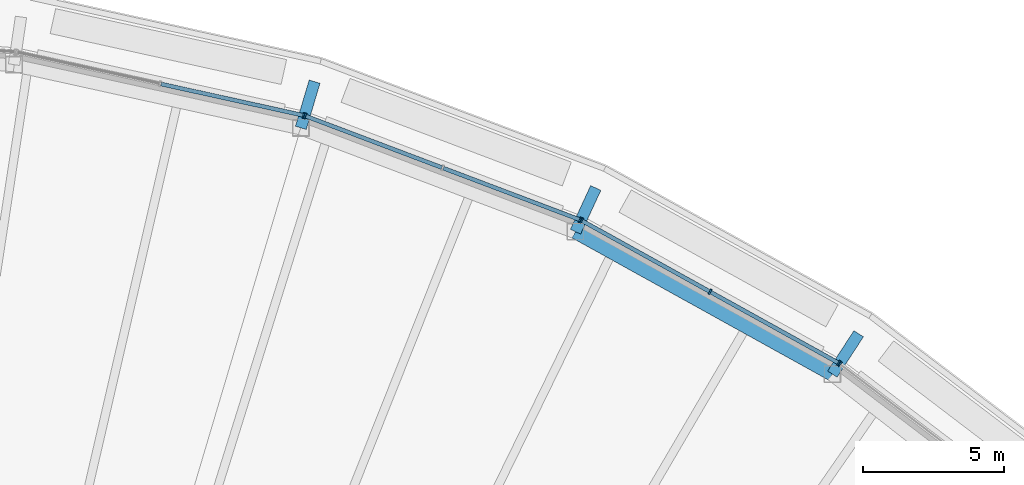
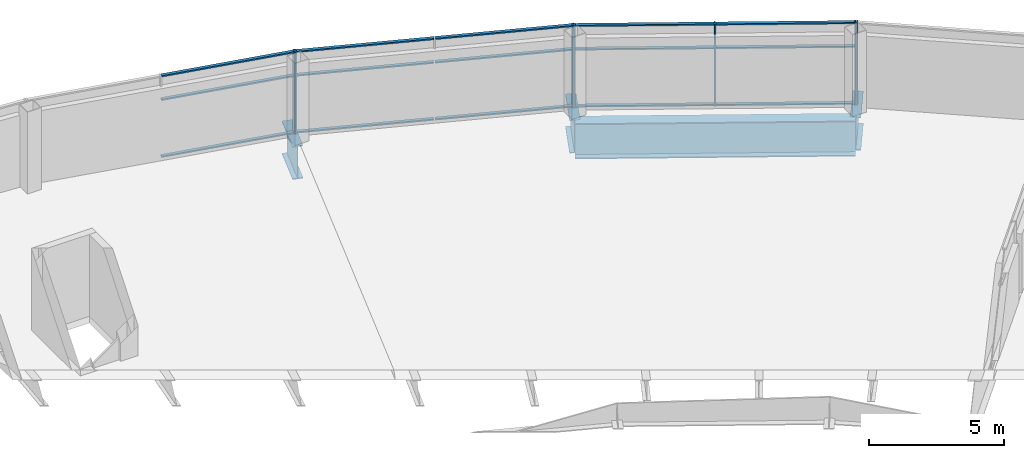
# One storey, part 11 of 17: 22 members, 4 beams, 4 elements without a shape of their own.
"""IFC4 building model written with IfcOpenShell, lengths in metres."""

from ifc_helpers import new_model, si_unit, direction, frame, origin, origin_2d, place, context, subcontext, project, spatial, rectangle, i_section, extrude, material, layer, layer_set, material_profile, profile_set, type_object, element, aggregate, save


model = new_model("IFC4")

# Units and contexts
model_context = context("Model", 3, precision=1e-05, world=origin(), true_north=direction((0.0, 1.0)))
body_context = subcontext(model_context, "Body", "Model", "MODEL_VIEW")
ifc_project = project(units=[si_unit("LENGTHUNIT", "METRE"), si_unit("AREAUNIT", "SQUARE_METRE"), si_unit("VOLUMEUNIT", "CUBIC_METRE"), si_unit("PLANEANGLEUNIT", "RADIAN"), si_unit("MASSUNIT", "GRAM", prefix="KILO")], contexts=[model_context])

# Site, building, storey
site_placement = place(None, origin())
site = spatial("IfcSite", under=ifc_project, at=site_placement, CompositionType="ELEMENT")
building_placement = place(site_placement, origin())
building = spatial("IfcBuilding", under=site, at=building_placement, Name="Tuul Gate Civic Tower", CompositionType="ELEMENT")
storey_placement = place(building_placement, frame((0.0, 0.0, 360.10009765625)))
storey = spatial("IfcBuildingStorey", under=building, at=storey_placement, Name="Crown tier 1 lower", CompositionType="ELEMENT", Elevation=360.10009765625)

# Curtain wall, member
ifc_material_1 = material(Name="Aluminium", Category="aluminium")
ifc_layer = layer(ifc_material_1, 0.199951171875)
ifc_layer_set = layer_set([ifc_layer], Name="Aluminium")
curtain_wall_type = type_object("IfcCurtainWallType", Name="Curtain wall CW5", PredefinedType="NOTDEFINED", material=ifc_layer_set)
curtain_wall_1_placement = place(storey_placement, origin())
curtain_wall_1 = element("IfcCurtainWall", 1, at=curtain_wall_1_placement, inside=storey, type_object=curtain_wall_type, Name="Curtain wall CW5", PredefinedType="NOTDEFINED")
ifc_material_2 = material(Name="Aluminium", Category="aluminium")
ifc_material_profile_1 = material_profile(ifc_material_2, rectangle(XDim=0.199951171875, YDim=0.06005859375, at=origin_2d()), Name="CW5 mullion")
ifc_profile_set_1 = profile_set([ifc_material_profile_1], Name="Aluminium")
member_type_1 = type_object("IfcMemberType", Name="CW5 mullion", PredefinedType="MULLION", material=ifc_profile_set_1)
member_1_placement = place(storey_placement, frame((41.768798828125, 0.48583984375, 0.0), z_axis=(0.0, 0.0, 1.0), x_axis=(-0.605782498172, -0.795630294112, 0.0)))
member_1 = element("IfcMember", 2, at=member_1_placement, type_object=member_type_1, Name="Mullion", PredefinedType="MULLION", context=body_context, shape_type="SweptSolid", body=[
    extrude(rectangle(XDim=0.199951171875, YDim=0.06005859375, at=origin_2d()), origin(), (0.0, 0.0, 1.0), 3.699951171875),
])
aggregate(curtain_wall_1, [member_1])

# Curtain wall, members
curtain_wall_2_placement = place(storey_placement, origin())
curtain_wall_2 = element("IfcCurtainWall", 3, at=curtain_wall_2_placement, inside=storey, type_object=curtain_wall_type, Name="Curtain wall CW5", PredefinedType="NOTDEFINED")
member_2_placement = place(storey_placement, frame((41.71875, 0.5185546875, 0.0), z_axis=(0.0, 0.0, 1.0), x_axis=(-0.484806132848, -0.874621640227, 0.0)))
member_2 = element("IfcMember", 4, at=member_2_placement, type_object=member_type_1, Name="Mullion", PredefinedType="MULLION", context=body_context, shape_type="SweptSolid", body=[
    extrude(rectangle(XDim=0.199951171875, YDim=0.06005859375, at=origin_2d()), origin(), (0.0, 0.0, 1.0), 3.699951171875),
])
member_3_placement = place(storey_placement, frame((37.173583984375, 3.0380859375, 0.0), z_axis=(0.0, 0.0, 1.0), x_axis=(-0.484806132848, -0.874621640227, 0.0)))
member_3 = element("IfcMember", 5, at=member_3_placement, type_object=member_type_1, Name="Mullion", PredefinedType="MULLION", context=body_context, shape_type="SweptSolid", body=[
    extrude(rectangle(XDim=0.199951171875, YDim=0.06005859375, at=origin_2d()), origin(), (0.0, 0.0, 1.0), 3.699951171875),
])
member_4_placement = place(storey_placement, frame((32.628173828125, 5.557373046875, 0.0), z_axis=(0.0, 0.0, 1.0), x_axis=(-0.484806132848, -0.874621640227, 0.0)))
member_4 = element("IfcMember", 6, at=member_4_placement, type_object=member_type_1, Name="Mullion", PredefinedType="MULLION", context=body_context, shape_type="SweptSolid", body=[
    extrude(rectangle(XDim=0.199951171875, YDim=0.06005859375, at=origin_2d()), origin(), (0.0, 0.0, 1.0), 3.699951171875),
])

curtain_wall_3_placement = place(storey_placement, origin())
curtain_wall_3 = element("IfcCurtainWall", 7, at=curtain_wall_3_placement, inside=storey, type_object=curtain_wall_type, Name="Curtain wall CW5", PredefinedType="NOTDEFINED")
member_5_placement = place(storey_placement, frame((32.573974609375, 5.58251953125, 0.0), z_axis=(0.0, 0.0, 1.0), x_axis=(-0.353690785552, -0.935362404748, 0.0)))
member_5 = element("IfcMember", 8, at=member_5_placement, type_object=member_type_1, Name="Mullion", PredefinedType="MULLION", context=body_context, shape_type="SweptSolid", body=[
    extrude(rectangle(XDim=0.199951171875, YDim=0.06005859375, at=origin_2d()), origin(), (0.0, 0.0, 1.0), 3.699951171875),
])
member_6_placement = place(storey_placement, frame((22.85302734375, 9.25830078125, 0.0), z_axis=(0.0, 0.0, 1.0), x_axis=(-0.353690785552, -0.935362404748, 0.0)))
member_6 = element("IfcMember", 9, at=member_6_placement, type_object=member_type_1, Name="Mullion", PredefinedType="MULLION", context=body_context, shape_type="SweptSolid", body=[
    extrude(rectangle(XDim=0.199951171875, YDim=0.06005859375, at=origin_2d()), origin(), (0.0, 0.0, 1.0), 3.699951171875),
])

# Curtain wall, member
curtain_wall_4_placement = place(storey_placement, origin())
curtain_wall_4 = element("IfcCurtainWall", 10, at=curtain_wall_4_placement, inside=storey, type_object=curtain_wall_type, Name="Curtain wall CW5", PredefinedType="NOTDEFINED")
member_7_placement = place(storey_placement, frame((22.795654296875, 9.275390625, 0.0), z_axis=(0.0, 0.0, 1.0), x_axis=(-0.215268775226, -0.976554839429, 0.0)))
member_7 = element("IfcMember", 11, at=member_7_placement, type_object=member_type_1, Name="Mullion", PredefinedType="MULLION", context=body_context, shape_type="SweptSolid", body=[
    extrude(rectangle(XDim=0.199951171875, YDim=0.06005859375, at=origin_2d()), origin(), (0.0, 0.0, 1.0), 3.699951171875),
])

# Member
ifc_material_3 = material(Name="Aluminium", Category="aluminium")
ifc_material_profile_2 = material_profile(ifc_material_3, rectangle(XDim=0.139892578125, YDim=0.06005859375, at=origin_2d()), Name="CW5 transom")
ifc_profile_set_2 = profile_set([ifc_material_profile_2], Name="Aluminium")
member_type_2 = type_object("IfcMemberType", Name="CW5 transom", PredefinedType="USERDEFINED", material=ifc_profile_set_2)
member_8_placement = place(storey_placement, frame((41.692626953125, 0.533203125, 0.02978515625), z_axis=(-0.874638840805, 0.484775100593, 0.0), x_axis=(-0.484775100593, -0.874638840805, 0.0)))
member_8 = element("IfcMember", 12, at=member_8_placement, type_object=member_type_2, Name="Transom", ObjectType="TRANSOM", PredefinedType="USERDEFINED", context=body_context, shape_type="SweptSolid", body=[
    extrude(rectangle(XDim=0.139892578125, YDim=0.06005859375, at=origin_2d()), origin(), (0.0, 0.0, 1.0), 5.136962890625),
])

member_9_placement = place(storey_placement, frame((41.692626953125, 0.533203125, 2.599853515625), z_axis=(-0.874638840805, 0.484775100593, 0.0), x_axis=(-0.484775100593, -0.874638840805, 0.0)))
member_9 = element("IfcMember", 13, at=member_9_placement, type_object=member_type_2, Name="Transom", ObjectType="TRANSOM", PredefinedType="USERDEFINED", context=body_context, shape_type="SweptSolid", body=[
    extrude(rectangle(XDim=0.139892578125, YDim=0.06005859375, at=origin_2d()), origin(), (0.0, 0.0, 1.0), 5.136962890625),
])

member_10_placement = place(storey_placement, frame((41.692626953125, 0.533203125, 3.669921875), z_axis=(-0.874638840805, 0.484775100593, 0.0), x_axis=(-0.484775100593, -0.874638840805, 0.0)))
member_10 = element("IfcMember", 14, at=member_10_placement, type_object=member_type_2, Name="Transom", ObjectType="TRANSOM", PredefinedType="USERDEFINED", context=body_context, shape_type="SweptSolid", body=[
    extrude(rectangle(XDim=0.139892578125, YDim=0.06005859375, at=origin_2d()), origin(), (0.0, 0.0, 1.0), 5.136962890625),
])

member_11_placement = place(storey_placement, frame((37.147216796875, 3.052490234375, 0.02978515625), z_axis=(-0.874607517649, 0.484831610017, 0.0), x_axis=(-0.484831610017, -0.874607517649, 0.0)))
member_11 = element("IfcMember", 15, at=member_11_placement, type_object=member_type_2, Name="Transom", ObjectType="TRANSOM", PredefinedType="USERDEFINED", context=body_context, shape_type="SweptSolid", body=[
    extrude(rectangle(XDim=0.139892578125, YDim=0.06005859375, at=origin_2d()), origin(), (0.0, 0.0, 1.0), 5.13671875),
])

member_12_placement = place(storey_placement, frame((37.147216796875, 3.052490234375, 2.599853515625), z_axis=(-0.874607517649, 0.484831610017, 0.0), x_axis=(-0.484831610017, -0.874607517649, 0.0)))
member_12 = element("IfcMember", 16, at=member_12_placement, type_object=member_type_2, Name="Transom", ObjectType="TRANSOM", PredefinedType="USERDEFINED", context=body_context, shape_type="SweptSolid", body=[
    extrude(rectangle(XDim=0.139892578125, YDim=0.06005859375, at=origin_2d()), origin(), (0.0, 0.0, 1.0), 5.13671875),
])

member_13_placement = place(storey_placement, frame((37.147216796875, 3.052490234375, 3.669921875), z_axis=(-0.874607517649, 0.484831610017, 0.0), x_axis=(-0.484831610017, -0.874607517649, 0.0)))
member_13 = element("IfcMember", 17, at=member_13_placement, type_object=member_type_2, Name="Transom", ObjectType="TRANSOM", PredefinedType="USERDEFINED", context=body_context, shape_type="SweptSolid", body=[
    extrude(rectangle(XDim=0.139892578125, YDim=0.06005859375, at=origin_2d()), origin(), (0.0, 0.0, 1.0), 5.13671875),
])

aggregate(curtain_wall_2, [member_2, member_3, member_4, member_8, member_9, member_10, member_11, member_12, member_13])

member_14_placement = place(storey_placement, frame((32.5458984375, 5.59326171875, 0.02978515625), z_axis=(-0.935366596006, 0.353679701249, 0.0), x_axis=(-0.353679701249, -0.935366596006, 0.0)))
member_14 = element("IfcMember", 18, at=member_14_placement, type_object=member_type_2, Name="Transom", ObjectType="TRANSOM", PredefinedType="USERDEFINED", context=body_context, shape_type="SweptSolid", body=[
    extrude(rectangle(XDim=0.139892578125, YDim=0.06005859375, at=origin_2d()), origin(), (0.0, 0.0, 1.0), 5.136474609375),
])

member_15_placement = place(storey_placement, frame((32.5458984375, 5.59326171875, 2.599853515625), z_axis=(-0.935366596006, 0.353679701249, 0.0), x_axis=(-0.353679701249, -0.935366596006, 0.0)))
member_15 = element("IfcMember", 19, at=member_15_placement, type_object=member_type_2, Name="Transom", ObjectType="TRANSOM", PredefinedType="USERDEFINED", context=body_context, shape_type="SweptSolid", body=[
    extrude(rectangle(XDim=0.139892578125, YDim=0.06005859375, at=origin_2d()), origin(), (0.0, 0.0, 1.0), 5.136474609375),
])

member_16_placement = place(storey_placement, frame((32.5458984375, 5.59326171875, 3.669921875), z_axis=(-0.935366596006, 0.353679701249, 0.0), x_axis=(-0.353679701249, -0.935366596006, 0.0)))
member_16 = element("IfcMember", 20, at=member_16_placement, type_object=member_type_2, Name="Transom", ObjectType="TRANSOM", PredefinedType="USERDEFINED", context=body_context, shape_type="SweptSolid", body=[
    extrude(rectangle(XDim=0.139892578125, YDim=0.06005859375, at=origin_2d()), origin(), (0.0, 0.0, 1.0), 5.136474609375),
])

member_17_placement = place(storey_placement, frame((27.685546875, 7.43115234375, 0.02978515625), z_axis=(-0.935366596006, 0.353679701249, 0.0), x_axis=(-0.353679701249, -0.935366596006, 0.0)))
member_17 = element("IfcMember", 21, at=member_17_placement, type_object=member_type_2, Name="Transom", ObjectType="TRANSOM", PredefinedType="USERDEFINED", context=body_context, shape_type="SweptSolid", body=[
    extrude(rectangle(XDim=0.139892578125, YDim=0.06005859375, at=origin_2d()), origin(), (0.0, 0.0, 1.0), 5.136474609375),
])

member_18_placement = place(storey_placement, frame((27.685546875, 7.43115234375, 2.599853515625), z_axis=(-0.935366596006, 0.353679701249, 0.0), x_axis=(-0.353679701249, -0.935366596006, 0.0)))
member_18 = element("IfcMember", 22, at=member_18_placement, type_object=member_type_2, Name="Transom", ObjectType="TRANSOM", PredefinedType="USERDEFINED", context=body_context, shape_type="SweptSolid", body=[
    extrude(rectangle(XDim=0.139892578125, YDim=0.06005859375, at=origin_2d()), origin(), (0.0, 0.0, 1.0), 5.136474609375),
])

member_19_placement = place(storey_placement, frame((27.685546875, 7.43115234375, 3.669921875), z_axis=(-0.935366596006, 0.353679701249, 0.0), x_axis=(-0.353679701249, -0.935366596006, 0.0)))
member_19 = element("IfcMember", 23, at=member_19_placement, type_object=member_type_2, Name="Transom", ObjectType="TRANSOM", PredefinedType="USERDEFINED", context=body_context, shape_type="SweptSolid", body=[
    extrude(rectangle(XDim=0.139892578125, YDim=0.06005859375, at=origin_2d()), origin(), (0.0, 0.0, 1.0), 5.136474609375),
])

aggregate(curtain_wall_3, [member_5, member_6, member_14, member_15, member_16, member_17, member_18, member_19])

member_20_placement = place(storey_placement, frame((22.766357421875, 9.281982421875, 0.02978515625), z_axis=(-0.976561402364, 0.215239000677, 0.0), x_axis=(-0.215239000677, -0.976561402364, 0.0)))
member_20 = element("IfcMember", 24, at=member_20_placement, type_object=member_type_2, Name="Transom", ObjectType="TRANSOM", PredefinedType="USERDEFINED", context=body_context, shape_type="SweptSolid", body=[
    extrude(rectangle(XDim=0.139892578125, YDim=0.06005859375, at=origin_2d()), origin(), (0.0, 0.0, 1.0), 5.135986328125),
])

member_21_placement = place(storey_placement, frame((22.766357421875, 9.281982421875, 2.599853515625), z_axis=(-0.976561402364, 0.215239000677, 0.0), x_axis=(-0.215239000677, -0.976561402364, 0.0)))
member_21 = element("IfcMember", 25, at=member_21_placement, type_object=member_type_2, Name="Transom", ObjectType="TRANSOM", PredefinedType="USERDEFINED", context=body_context, shape_type="SweptSolid", body=[
    extrude(rectangle(XDim=0.139892578125, YDim=0.06005859375, at=origin_2d()), origin(), (0.0, 0.0, 1.0), 5.135986328125),
])

member_22_placement = place(storey_placement, frame((22.766357421875, 9.281982421875, 3.669921875), z_axis=(-0.976561402364, 0.215239000677, 0.0), x_axis=(-0.215239000677, -0.976561402364, 0.0)))
member_22 = element("IfcMember", 26, at=member_22_placement, type_object=member_type_2, Name="Transom", ObjectType="TRANSOM", PredefinedType="USERDEFINED", context=body_context, shape_type="SweptSolid", body=[
    extrude(rectangle(XDim=0.139892578125, YDim=0.06005859375, at=origin_2d()), origin(), (0.0, 0.0, 1.0), 5.135986328125),
])

aggregate(curtain_wall_4, [member_7, member_20, member_21, member_22])

# Beams
ifc_material_4 = material(Name="Steel S355", Category="steel")
ifc_material_profile_3 = material_profile(ifc_material_4, i_section(OverallWidth=0.39990234375, OverallDepth=1.5, WebThickness=0.02490234375, FlangeThickness=0.0400390625, at=origin_2d()), Name="PG1500x400x25x40")
ifc_profile_set_3 = profile_set([ifc_material_profile_3], Name="Steel S355")
beam_type_1 = type_object("IfcBeamType", Name="STR-FLOOR BEAM-PG1500x400x25x40", PredefinedType="BEAM", material=ifc_profile_set_3)
beam_1_placement = place(storey_placement, frame((42.429931640625, 1.5537109375, -1.050048828125), z_axis=(-0.546577873779, -0.837408280288, 0.0), x_axis=(0.837408280288, -0.546577873779, 0.0)))
element("IfcBeam", 27, at=beam_1_placement, inside=storey, type_object=beam_type_1, Name="Ring girder stub", PredefinedType="BEAM", context=body_context, shape_type="SweptSolid", body=[
    extrude(i_section(OverallWidth=0.39990234375, OverallDepth=1.5, WebThickness=0.02490234375, FlangeThickness=0.0400390625, at=origin_2d()), origin(), (0.0, 0.0, 1.0), 1.704833984375),
])
beam_2_placement = place(storey_placement, frame((33.1298828125, 6.709716796875, -1.050048828125), z_axis=(-0.42027418612, -0.90739716138, 0.0), x_axis=(0.90739716138, -0.42027418612, 0.0)))
element("IfcBeam", 28, at=beam_2_placement, inside=storey, type_object=beam_type_1, Name="Ring girder stub", PredefinedType="BEAM", context=body_context, shape_type="SweptSolid", body=[
    extrude(i_section(OverallWidth=0.39990234375, OverallDepth=1.5, WebThickness=0.02490234375, FlangeThickness=0.0400390625, at=origin_2d()), origin(), (0.0, 0.0, 1.0), 1.70556640625),
])
beam_3_placement = place(storey_placement, frame((23.183349609375, 10.470458984375, -1.050048828125), z_axis=(-0.285180008962, -0.958473975906, 0.0), x_axis=(0.958473975906, -0.285180008962, 0.0)))
element("IfcBeam", 29, at=beam_3_placement, inside=storey, type_object=beam_type_1, Name="Ring girder stub", PredefinedType="BEAM", context=body_context, shape_type="SweptSolid", body=[
    extrude(i_section(OverallWidth=0.39990234375, OverallDepth=1.5, WebThickness=0.02490234375, FlangeThickness=0.0400390625, at=origin_2d()), origin(), (0.0, 0.0, 1.0), 1.705322265625),
])
ifc_material_5 = material(Name="Steel S355", Category="steel")
ifc_material_profile_4 = material_profile(ifc_material_5, i_section(OverallWidth=0.5, OverallDepth=1.60009765625, WebThickness=0.02490234375, FlangeThickness=0.044921875, at=origin_2d()), Name="PG1600x500x25x45")
ifc_profile_set_4 = profile_set([ifc_material_profile_4], Name="Steel S355")
beam_type_2 = type_object("IfcBeamType", Name="STR-RING BEAM-PG1600x500x25x45", PredefinedType="BEAM", material=ifc_profile_set_4)
beam_4_placement = place(storey_placement, frame((41.498046875, 0.1259765625, -1.10009765625), z_axis=(-0.8746092269, 0.484828526617, 0.0), x_axis=(-0.484828526617, -0.8746092269, 0.0)))
element("IfcBeam", 30, at=beam_4_placement, inside=storey, type_object=beam_type_2, Name="Ring girder", PredefinedType="BEAM", context=body_context, shape_type="SweptSolid", body=[
    extrude(i_section(OverallWidth=0.5, OverallDepth=1.60009765625, WebThickness=0.02490234375, FlangeThickness=0.044921875, at=origin_2d()), origin(), (0.0, 0.0, 1.0), 10.387451171875),
])

save(model, "model.ifc")
